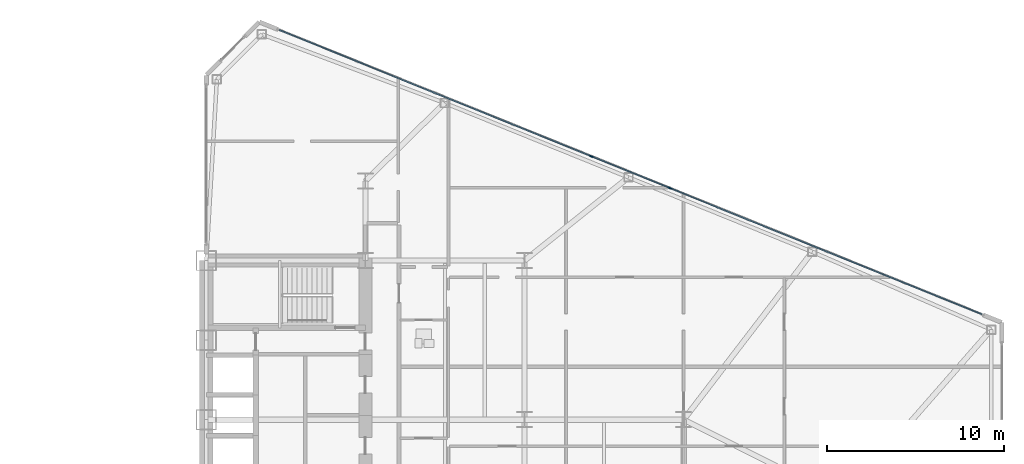
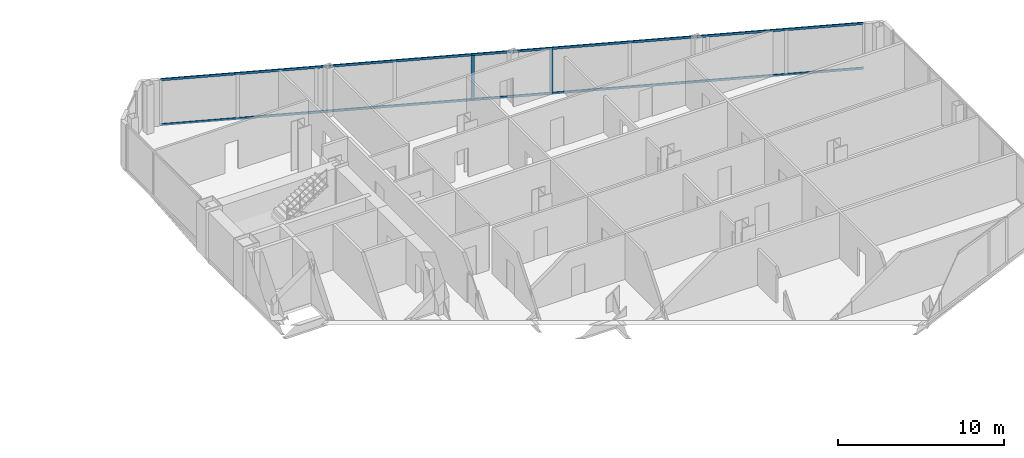
# One storey, part 12 of 25: 4 members, 1 element without a shape of its own.
"""IFC4 building model written with IfcOpenShell, lengths in metres."""

from ifc_helpers import new_model, si_unit, direction, frame, origin, origin_2d, place, context, subcontext, project, spatial, rectangle, extrude, source, transform, mapped, material, layer, layer_set, material_profile, profile_set, type_object, type_shapes, element, aggregate, save


model = new_model("IFC4")

# Units and contexts
model_context = context("Model", 3, precision=1e-05, world=origin(), true_north=direction((0.0, 1.0)))
body_context = subcontext(model_context, "Body", "Model", "MODEL_VIEW")
ifc_project = project(units=[si_unit("LENGTHUNIT", "METRE"), si_unit("AREAUNIT", "SQUARE_METRE"), si_unit("VOLUMEUNIT", "CUBIC_METRE"), si_unit("PLANEANGLEUNIT", "RADIAN"), si_unit("MASSUNIT", "GRAM", prefix="KILO")], contexts=[model_context])

# Site, building, storey
site_placement = place(None, origin())
site = spatial("IfcSite", under=ifc_project, at=site_placement, CompositionType="ELEMENT")
building_placement = place(site_placement, origin())
building = spatial("IfcBuilding", under=site, at=building_placement, Name="Seokmaru Belvedere", CompositionType="ELEMENT")
storey_placement = place(building_placement, frame((0.0, 0.0, 29.699951171875)))
storey = spatial("IfcBuildingStorey", under=building, at=storey_placement, Name="L07", CompositionType="ELEMENT", Elevation=29.699951171875)

# Curtain wall, members
ifc_material_1 = material(Name="Bronze Triple Insulating Glass", Category="glass")
ifc_layer = layer(ifc_material_1, 0.2099609375)
ifc_layer_set = layer_set([ifc_layer], Name="Bronze Triple Insulating Glass")
curtain_wall_type = type_object("IfcCurtainWallType", Name="Low-Rise Faceted Crystal Curtain Wall System CW-2", PredefinedType="NOTDEFINED", material=ifc_layer_set)
curtain_wall_placement = place(storey_placement, origin())
curtain_wall = element("IfcCurtainWall", 1, at=curtain_wall_placement, inside=storey, type_object=curtain_wall_type, Name="L07 Curtain Wall EF3", PredefinedType="NOTDEFINED")
ifc_material_2 = material(Name="Anodised Bronze Aluminium", Category="aluminium")
ifc_material_profile_1 = material_profile(ifc_material_2, rectangle(XDim=0.074951171875, YDim=0.2099609375, at=origin_2d()), Name="CW-M-75x210")
ifc_profile_set_1 = profile_set([ifc_material_profile_1], Name="Anodised Bronze Aluminium")
member_type_1 = type_object("IfcMemberType", Name="Bronze Unitised Mullion 75x210", PredefinedType="MULLION", material=ifc_profile_set_1)
shared_shape_1 = source(origin(), body_context, "Body", "SweptSolid", [
    extrude(rectangle(XDim=0.074951171875, YDim=0.2099609375, at=origin_2d()), origin(), (0.0, 0.0, 1.0), 3.239990234375),
])
type_shapes(member_type_1, [shared_shape_1])
member_1_placement = place(storey_placement, frame((53.71484375, 17.603515625, 0.070068359375), z_axis=(0.0, 0.0, 1.0), x_axis=(-0.375192321888, -0.926946989637, 0.0)))
member_1 = element("IfcMember", 2, at=member_1_placement, type_object=member_type_1, Name="CW:L07:EF3 Mullion 5", PredefinedType="MULLION", context=body_context, shape_type="MappedRepresentation", body=[
    mapped(shared_shape_1, transform((0.0, 0.0, 0.0), scale=1.0)),
])
member_2_placement = place(storey_placement, frame((49.28515625, 19.396484375, 0.070068359375), z_axis=(0.0, 0.0, 1.0), x_axis=(-0.375192321888, -0.926946989637, 0.0)))
member_2 = element("IfcMember", 3, at=member_2_placement, type_object=member_type_1, Name="CW:L07:EF3 Mullion 6", PredefinedType="MULLION", context=body_context, shape_type="MappedRepresentation", body=[
    mapped(shared_shape_1, transform((0.0, 0.0, 0.0), scale=1.0)),
])
ifc_material_profile_2 = material_profile(ifc_material_2, rectangle(XDim=0.070068359375, YDim=0.1650390625, at=origin_2d()), Name="CW-T-70x165")
ifc_profile_set_2 = profile_set([ifc_material_profile_2], Name="Anodised Bronze Aluminium")
member_type_2 = type_object("IfcMemberType", Name="Bronze Unitised Transom 70x165", PredefinedType="USERDEFINED", material=ifc_profile_set_2)
shared_shape_2 = source(origin(), body_context, "Body", "SweptSolid", [
    extrude(rectangle(XDim=0.070068359375, YDim=0.1650390625, at=origin_2d()), origin(), (0.0, 0.0, 1.0), 42.860107421875),
])
type_shapes(member_type_2, [shared_shape_2])
member_3_placement = place(storey_placement, frame((71.364501953125, 10.459716796875, 0.03515625), z_axis=(-0.926948605599, 0.375188329481, 0.0), x_axis=(-0.375188329481, -0.926948605599, 0.0)))
member_3 = element("IfcMember", 4, at=member_3_placement, type_object=member_type_2, Name="CW:L07:EF3 Continuous Transom 1", ObjectType="TRANSOM", PredefinedType="USERDEFINED", context=body_context, shape_type="MappedRepresentation", body=[
    mapped(shared_shape_2, transform((0.0, 0.0, 0.0), scale=1.0)),
])
member_4_placement = place(storey_placement, frame((71.364501953125, 10.459716796875, 3.344970703125), z_axis=(-0.926948605599, 0.375188329481, 0.0), x_axis=(-0.375188329481, -0.926948605599, 0.0)))
member_4 = element("IfcMember", 5, at=member_4_placement, type_object=member_type_2, Name="CW:L07:EF3 Continuous Transom 2", ObjectType="TRANSOM", PredefinedType="USERDEFINED", context=body_context, shape_type="MappedRepresentation", body=[
    mapped(shared_shape_2, transform((0.0, 0.0, 0.0), scale=1.0)),
])
aggregate(curtain_wall, [member_1, member_2, member_3, member_4])

save(model, "model.ifc")
